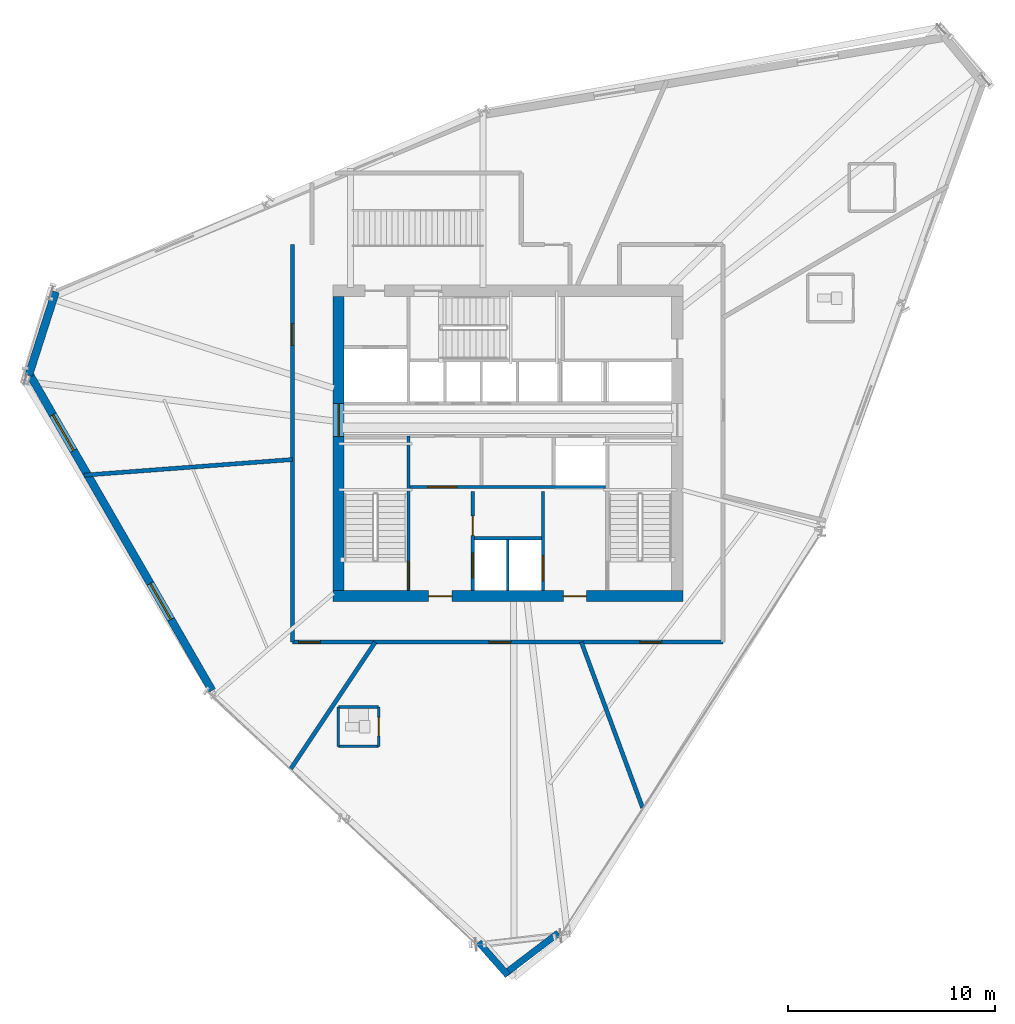
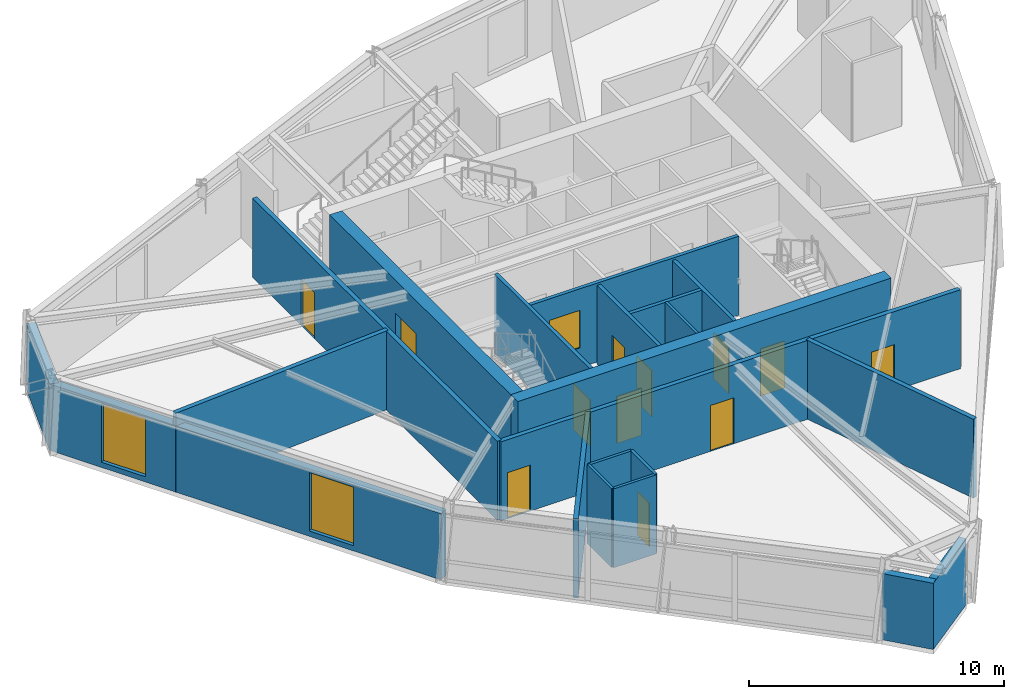
# One storey, part 9 of 14: 21 walls, 12 doors, 3 windows, 15 openings.
"""IFC4 building model written with IfcOpenShell, lengths in metres."""

from ifc_helpers import new_model, si_unit, direction, frame, frame_2d, origin, place, context, subcontext, project, spatial, rectangle, extrude, source, transform, mapped, material, layer, layer_set, type_object, type_shapes, element, fill, save


model = new_model("IFC4")

# Units and contexts
model_context = context("Model", 3, precision=1e-05, world=origin(), true_north=direction((0.0, 1.0)))
body_context = subcontext(model_context, "Body", "Model", "MODEL_VIEW")
ifc_project = project(units=[si_unit("LENGTHUNIT", "METRE"), si_unit("AREAUNIT", "SQUARE_METRE"), si_unit("VOLUMEUNIT", "CUBIC_METRE"), si_unit("PLANEANGLEUNIT", "RADIAN"), si_unit("MASSUNIT", "GRAM", prefix="KILO")], contexts=[model_context])

# Site, building, storey
site_placement = place(None, origin())
site = spatial("IfcSite", under=ifc_project, at=site_placement, CompositionType="ELEMENT")
building_placement = place(site_placement, origin())
building = spatial("IfcBuilding", under=site, at=building_placement, Name="Olszyna Solenne Hotel", CompositionType="ELEMENT")
storey_placement = place(building_placement, frame((0.0, 0.0, 196.300048828125)))
storey = spatial("IfcBuildingStorey", under=building, at=storey_placement, Name="L52", CompositionType="ELEMENT", Elevation=196.300048828125)

# Wall, openings, doors
ifc_material_1 = material(Name="Concrete C50/60", Category="concrete")
ifc_layer_1 = layer(ifc_material_1, 0.550048828125, Name="Concrete C50/60")
ifc_layer_set_1 = layer_set([ifc_layer_1], Name="Concrete C50/60")
wall_type_1 = type_object("IfcWallType", Name="WL-CR550", PredefinedType="SHEAR", material=ifc_layer_set_1)
wall_1_placement = place(storey_placement, frame((46.449951171875, 19.22509765625, 0.0), z_axis=(0.0, 0.0, 1.0), x_axis=(-1.0, 0.0, 0.0)))
wall_1 = element("IfcWall", 1, at=wall_1_placement, inside=storey, type_object=wall_type_1, Name="Core shear wall WL-CR550 CRW-L52-S", PredefinedType="SHEAR", context=body_context, shape_type="SweptSolid", body=[
    extrude(rectangle(XDim=16.89990234375, YDim=0.550048828125, at=frame_2d((8.449951171875, 0.0))), origin(), (0.0, 0.0, 1.0), 3.780029296875),
])
opening_1_placement = place(wall_1_placement, frame((4.64990234375, 0.0, 0.0)))
opening_1 = element("IfcOpeningElement", 2, at=opening_1_placement, cuts=wall_1, Name="Opening FL-L52-1", PredefinedType="OPENING", context=body_context, shape_type="SweptSolid", body=[
    extrude(rectangle(XDim=1.1201171875, YDim=2.25, at=frame_2d((0.56005859375, 1.125))), frame((0.0, 0.28515625, 0.0), z_axis=(0.0, -1.0, 0.0), x_axis=(1.0, 0.0, 0.0)), (0.0, 0.0, 1.0), 0.570068359375),
])
opening_2_placement = place(wall_1_placement, frame((11.14990234375, 0.0, 0.0)))
opening_2 = element("IfcOpeningElement", 3, at=opening_2_placement, cuts=wall_1, Name="Opening FL-L52-2", PredefinedType="OPENING", context=body_context, shape_type="SweptSolid", body=[
    extrude(rectangle(XDim=1.1201171875, YDim=2.25, at=frame_2d((0.56005859375, 1.125))), frame((0.0, 0.28515625, 0.0), z_axis=(0.0, -1.0, 0.0), x_axis=(1.0, 0.0, 0.0)), (0.0, 0.0, 1.0), 0.570068359375),
])
ifc_material_2 = material(Name="Steel S355J2", Category="steel")
door_type_1 = type_object("IfcDoorType", Name="DR-FL1", OperationType="NOTDEFINED", PredefinedType="DOOR", material=ifc_material_2)
shared_shape_1 = source(origin(), body_context, "Body", "SweptSolid", [
    extrude(rectangle(XDim=1.1201171875, YDim=2.25, at=frame_2d((0.56005859375, 1.125))), frame((0.0, 0.02490234375, 0.0), z_axis=(0.0, -1.0, 0.0), x_axis=(1.0, 0.0, 0.0)), (0.0, 0.0, 1.0), 0.050048828125),
])
type_shapes(door_type_1, [shared_shape_1])
door_1_placement = place(opening_1_placement, origin())
door_1 = element("IfcDoor", 4, at=door_1_placement, inside=storey, type_object=door_type_1, Name="Firefighting lift lobby smoke door FL-L52-1", OperationType="SINGLE_SWING_LEFT", OverallHeight=2.25, OverallWidth=1.1201171875, PredefinedType="DOOR", context=body_context, shape_type="MappedRepresentation", body=[
    mapped(shared_shape_1, transform((0.0, 0.0, 0.0), x_axis=(1.0, 0.0, 0.0), y_axis=(0.0, 1.0, 0.0), z_axis=(0.0, 0.0, 1.0), scale=1.0)),
])
fill(opening_1, door_1)
door_2_placement = place(opening_2_placement, origin())
door_2 = element("IfcDoor", 5, at=door_2_placement, inside=storey, type_object=door_type_1, Name="Firefighting lift lobby smoke door FL-L52-2", OperationType="SINGLE_SWING_RIGHT", OverallHeight=2.25, OverallWidth=1.1201171875, PredefinedType="DOOR", context=body_context, shape_type="MappedRepresentation", body=[
    mapped(shared_shape_1, transform((0.0, 0.0, 0.0), x_axis=(1.0, 0.0, 0.0), y_axis=(0.0, 1.0, 0.0), z_axis=(0.0, 0.0, 1.0), scale=1.0)),
])
fill(opening_2, door_2)

# Wall, opening, door
wall_2_placement = place(storey_placement, frame((29.824951171875, 19.5, 0.0), z_axis=(0.0, 0.0, 1.0), x_axis=(0.0, 1.0, 0.0)))
wall_2 = element("IfcWall", 6, at=wall_2_placement, inside=storey, type_object=wall_type_1, Name="Core shear wall WL-CR550 CRW-L52-W", PredefinedType="SHEAR", context=body_context, shape_type="SweptSolid", body=[
    extrude(rectangle(XDim=14.199951171875, YDim=0.550048828125, at=frame_2d((7.10009765625, 0.0))), origin(), (0.0, 0.0, 1.0), 3.780029296875),
])
opening_3_placement = place(wall_2_placement, frame((7.419921875, 0.0, 0.0)))
opening_3 = element("IfcOpeningElement", 7, at=opening_3_placement, cuts=wall_2, Name="Opening LHD-L52-W", PredefinedType="OPENING", context=body_context, shape_type="SweptSolid", body=[
    extrude(rectangle(XDim=1.60009765625, YDim=2.199951171875, at=frame_2d((0.800048828125, 1.10009765625))), frame((0.0, 0.28515625, 0.0), z_axis=(0.0, -1.0, 0.0), x_axis=(1.0, 0.0, 0.0)), (0.0, 0.0, 1.0), 0.570068359375),
])
ifc_material_3 = material(Name="Timber hardwood", Category="wood")
door_type_2 = type_object("IfcDoorType", Name="DR-CR1", OperationType="DOUBLE_DOOR_SINGLE_SWING", PredefinedType="DOOR", material=ifc_material_3)
shared_shape_2 = source(origin(), body_context, "Body", "SweptSolid", [
    extrude(rectangle(XDim=1.60009765625, YDim=2.199951171875, at=frame_2d((0.800048828125, 1.10009765625))), frame((0.0, 0.02490234375, 0.0), z_axis=(0.0, -1.0, 0.0), x_axis=(1.0, 0.0, 0.0)), (0.0, 0.0, 1.0), 0.050048828125),
])
type_shapes(door_type_2, [shared_shape_2])
door_3_placement = place(opening_3_placement, origin())
door_3 = element("IfcDoor", 8, at=door_3_placement, inside=storey, type_object=door_type_2, Name="Passenger lift lobby West fire door LHD-L52-W", OperationType="DOUBLE_DOOR_SINGLE_SWING", OverallHeight=2.199951171875, OverallWidth=1.60009765625, PredefinedType="DOOR", context=body_context, shape_type="MappedRepresentation", body=[
    mapped(shared_shape_2, transform((0.0, 0.0, 0.0), x_axis=(1.0, 0.0, 0.0), y_axis=(0.0, 1.0, 0.0), z_axis=(0.0, 0.0, 1.0), scale=1.0)),
])
fill(opening_3, door_3)

# Walls
ifc_material_4 = material(Name="Precast concrete C45/55", Category="concrete")
ifc_layer_2 = layer(ifc_material_4, 0.320068359375, Name="Precast concrete C45/55")
ifc_layer_set_2 = layer_set([ifc_layer_2], Name="Precast concrete C45/55")
wall_type_2 = type_object("IfcWallType", Name="WL-EX320", PredefinedType="SOLIDWALL", material=ifc_layer_set_2)
wall_3_placement = place(storey_placement, frame((40.440185546875, 2.94677734375, 0.0), z_axis=(0.0, 0.0, 1.0), x_axis=(-0.795619968994, -0.605796058866, 0.0)))
element("IfcWall", 9, at=wall_3_placement, inside=storey, type_object=wall_type_2, Name="Exterior terracotta-precast frame wall WL-EX320 EW-L52-02", PredefinedType="SOLIDWALL", context=body_context, shape_type="SweptSolid", body=[
    extrude(rectangle(XDim=3.333740234375, YDim=0.320068359375, at=frame_2d((1.6669921875, 0.0))), origin(), (0.0, 0.0, 1.0), 3.171875),
])
wall_4_placement = place(storey_placement, frame((38.004638671875, 0.906005859375, 0.0), z_axis=(0.0, 0.0, 1.0), x_axis=(-0.662045382333, 0.749463749444, 0.0)))
element("IfcWall", 10, at=wall_4_placement, inside=storey, type_object=wall_type_2, Name="Exterior terracotta-precast frame wall WL-EX320 EW-L52-03", PredefinedType="SOLIDWALL", context=body_context, shape_type="SweptSolid", body=[
    extrude(rectangle(XDim=2.1337890625, YDim=0.320068359375, at=frame_2d((1.06689453125, 0.0))), origin(), (0.0, 0.0, 1.0), 3.171875),
])

# Wall, openings, windows
ifc_material_5 = material(Name="Terracotta cladding on precast concrete C45/55", Category="masonry")
ifc_layer_3 = layer(ifc_material_5, 0.3798828125, Name="Terracotta cladding on precast concrete C45/55")
ifc_layer_set_3 = layer_set([ifc_layer_3], Name="Terracotta cladding on precast concrete C45/55")
wall_type_3 = type_object("IfcWallType", Name="WL-EX380", PredefinedType="SOLIDWALL", material=ifc_layer_set_3)
wall_5_placement = place(storey_placement, frame((23.718017578125, 14.662109375, 0.0), z_axis=(0.0, 0.0, 1.0), x_axis=(-0.499820505407, 0.866129010237, 0.0)))
wall_5 = element("IfcWall", 11, at=wall_5_placement, inside=storey, type_object=wall_type_3, Name="Exterior terracotta-precast frame wall WL-EX380 EW-L52-05", PredefinedType="SOLIDWALL", context=body_context, shape_type="SweptSolid", body=[
    extrude(rectangle(XDim=17.74658203125, YDim=0.3798828125, at=frame_2d((8.873291015625, 0.0))), origin(), (0.0, 0.0, 1.0), 3.171875),
])
opening_4_placement = place(wall_5_placement, frame((3.968994140625, 0.0, 0.251953125)))
opening_4 = element("IfcOpeningElement", 12, at=opening_4_placement, cuts=wall_5, Name="Opening WN-L52-333", PredefinedType="OPENING", context=body_context, shape_type="SweptSolid", body=[
    extrude(rectangle(XDim=2.0, YDim=2.800048828125, at=frame_2d((1.0, 1.39990234375))), frame((0.0, 0.199951171875, 0.0), z_axis=(0.0, -1.0, 0.0), x_axis=(1.0, 0.0, 0.0)), (0.0, 0.0, 1.0), 0.39990234375),
])
opening_5_placement = place(wall_5_placement, frame((13.3779296875, 0.0, 0.251953125)))
opening_5 = element("IfcOpeningElement", 13, at=opening_5_placement, cuts=wall_5, Name="Opening WN-L52-334", PredefinedType="OPENING", context=body_context, shape_type="SweptSolid", body=[
    extrude(rectangle(XDim=2.0, YDim=2.800048828125, at=frame_2d((1.0, 1.39990234375))), frame((0.0, 0.199951171875, 0.0), z_axis=(0.0, -1.0, 0.0), x_axis=(1.0, 0.0, 0.0)), (0.0, 0.0, 1.0), 0.39990234375),
])
ifc_material_6 = material(Name="Low-E triple glazing", Category="glass")
window_type_1 = type_object("IfcWindowType", Name="WN-SG1", PartitioningType="SINGLE_PANEL", PredefinedType="WINDOW", material=ifc_material_6)
shared_shape_3 = source(origin(), body_context, "Body", "SweptSolid", [
    extrude(rectangle(XDim=2.0, YDim=2.800048828125, at=frame_2d((1.0, 1.39990234375))), frame((0.0, 0.030029296875, 0.0), z_axis=(0.0, -1.0, 0.0), x_axis=(1.0, 0.0, 0.0)), (0.0, 0.0, 1.0), 0.06005859375),
])
type_shapes(window_type_1, [shared_shape_3])
window_1_placement = place(opening_4_placement, origin())
window_1 = element("IfcWindow", 14, at=window_1_placement, inside=storey, type_object=window_type_1, Name="Exterior facade window WN-SG1 WN-L52-333", OverallHeight=2.800048828125, OverallWidth=2.0, PartitioningType="SINGLE_PANEL", PredefinedType="WINDOW", context=body_context, shape_type="MappedRepresentation", body=[
    mapped(shared_shape_3, transform((0.0, 0.0, 0.0), x_axis=(1.0, 0.0, 0.0), y_axis=(0.0, 1.0, 0.0), z_axis=(0.0, 0.0, 1.0), scale=1.0)),
])
fill(opening_4, window_1)
window_2_placement = place(opening_5_placement, origin())
window_2 = element("IfcWindow", 15, at=window_2_placement, inside=storey, type_object=window_type_1, Name="Exterior facade window WN-SG1 WN-L52-334", OverallHeight=2.800048828125, OverallWidth=2.0, PartitioningType="SINGLE_PANEL", PredefinedType="WINDOW", context=body_context, shape_type="MappedRepresentation", body=[
    mapped(shared_shape_3, transform((0.0, 0.0, 0.0), x_axis=(1.0, 0.0, 0.0), y_axis=(0.0, 1.0, 0.0), z_axis=(0.0, 0.0, 1.0), scale=1.0)),
])
fill(opening_5, window_2)

# Walls
wall_6_placement = place(storey_placement, frame((14.8642578125, 29.8798828125, 0.0), z_axis=(0.0, 0.0, 1.0), x_axis=(0.305642175368, 0.952146449154, 0.0)))
element("IfcWall", 16, at=wall_6_placement, inside=storey, type_object=wall_type_3, Name="Exterior terracotta-precast frame wall WL-EX380 EW-L52-06", PredefinedType="SOLIDWALL", context=body_context, shape_type="SweptSolid", body=[
    extrude(rectangle(XDim=4.242431640625, YDim=0.3798828125, at=frame_2d((2.12109375, 0.0))), origin(), (0.0, 0.0, 1.0), 3.171875),
])
ifc_material_7 = material(Name="Acoustic gypsum partition", Category="gypsum")
ifc_layer_4 = layer(ifc_material_7, 0.125, Name="Acoustic gypsum partition")
ifc_layer_set_4 = layer_set([ifc_layer_4], Name="Acoustic gypsum partition")
wall_type_4 = type_object("IfcWallType", Name="WL-PT125", PredefinedType="PARTITIONING", material=ifc_layer_set_4)
wall_7_placement = place(storey_placement, frame((38.0, 19.5, 0.0), z_axis=(0.0, 0.0, 1.0), x_axis=(0.0, 1.0, 0.0)))
element("IfcWall", 17, at=wall_7_placement, inside=storey, type_object=wall_type_4, Name="Core shaft compartment wall CW-L52-FFM", PredefinedType="PARTITIONING", context=body_context, shape_type="SweptSolid", body=[
    extrude(rectangle(XDim=2.4599609375, YDim=0.125, at=frame_2d((1.22998046875, 0.0))), origin(), (0.0, 0.0, 1.0), 3.780029296875),
])

# Wall, opening, door
wall_8_placement = place(storey_placement, frame((31.76611328125, 11.967041015625, 0.0), z_axis=(0.0, 0.0, 1.0), x_axis=(0.0, 1.0, 0.0)))
wall_8 = element("IfcWall", 18, at=wall_8_placement, inside=storey, type_object=wall_type_4, Name="Interior acoustic partition WL-PT125 PW-L52-2931", PredefinedType="PARTITIONING", context=body_context, shape_type="SweptSolid", body=[
    extrude(rectangle(XDim=1.89990234375, YDim=0.125, at=frame_2d((0.949951171875, 0.0))), origin(), (0.0, 0.0, 1.0), 3.780029296875),
])
opening_6_placement = place(wall_8_placement, frame((0.5, 0.0, 0.0)))
opening_6 = element("IfcOpeningElement", 19, at=opening_6_placement, cuts=wall_8, Name="Opening DR-L52-0712", PredefinedType="OPENING", context=body_context, shape_type="SweptSolid", body=[
    extrude(rectangle(XDim=0.89990234375, YDim=2.10009765625, at=frame_2d((0.449951171875, 1.050048828125))), frame((0.0, 0.072509765625, 0.0), z_axis=(0.0, -1.0, 0.0), x_axis=(1.0, 0.0, 0.0)), (0.0, 0.0, 1.0), 0.14501953125),
])
door_type_3 = type_object("IfcDoorType", Name="DR-WC1", OperationType="NOTDEFINED", PredefinedType="DOOR", material=ifc_material_3)
shared_shape_4 = source(origin(), body_context, "Body", "SweptSolid", [
    extrude(rectangle(XDim=0.89990234375, YDim=2.10009765625, at=frame_2d((0.449951171875, 1.050048828125))), frame((0.0, 0.02490234375, 0.0), z_axis=(0.0, -1.0, 0.0), x_axis=(1.0, 0.0, 0.0)), (0.0, 0.0, 1.0), 0.050048828125),
])
type_shapes(door_type_3, [shared_shape_4])
door_4_placement = place(opening_6_placement, origin())
door_4 = element("IfcDoor", 20, at=door_4_placement, inside=storey, type_object=door_type_3, Name="En-Suite Bathroom Door DR-L52-0712", OperationType="SINGLE_SWING_LEFT", OverallHeight=2.10009765625, OverallWidth=0.89990234375, PredefinedType="DOOR", context=body_context, shape_type="MappedRepresentation", body=[
    mapped(shared_shape_4, transform((0.0, 0.0, 0.0), x_axis=(1.0, 0.0, 0.0), y_axis=(0.0, 1.0, 0.0), z_axis=(0.0, 0.0, 1.0), scale=1.0)),
])
fill(opening_6, door_4)

# Walls
wall_9_placement = place(storey_placement, frame((31.76611328125, 13.866943359375, 0.0), z_axis=(0.0, 0.0, 1.0), x_axis=(-1.0, 0.0, 0.0)))
element("IfcWall", 21, at=wall_9_placement, inside=storey, type_object=wall_type_4, Name="Interior acoustic partition WL-PT125 PW-L52-2932", PredefinedType="PARTITIONING", context=body_context, shape_type="SweptSolid", body=[
    extrude(rectangle(XDim=1.9501953125, YDim=0.125, at=frame_2d((0.97509765625, 0.0))), origin(), (0.0, 0.0, 1.0), 3.780029296875),
])
wall_10_placement = place(storey_placement, frame((29.81591796875, 13.866943359375, 0.0), z_axis=(0.0, 0.0, 1.0), x_axis=(0.0, -1.0, 0.0)))
element("IfcWall", 22, at=wall_10_placement, inside=storey, type_object=wall_type_4, Name="Interior acoustic partition WL-PT125 PW-L52-2933", PredefinedType="PARTITIONING", context=body_context, shape_type="SweptSolid", body=[
    extrude(rectangle(XDim=1.89990234375, YDim=0.125, at=frame_2d((0.949951171875, 0.0))), origin(), (0.0, 0.0, 1.0), 3.780029296875),
])
wall_11_placement = place(storey_placement, frame((29.81591796875, 11.967041015625, 0.0), z_axis=(0.0, 0.0, 1.0), x_axis=(1.0, 0.0, 0.0)))
element("IfcWall", 23, at=wall_11_placement, inside=storey, type_object=wall_type_4, Name="Interior acoustic partition WL-PT125 PW-L52-2934", PredefinedType="PARTITIONING", context=body_context, shape_type="SweptSolid", body=[
    extrude(rectangle(XDim=1.9501953125, YDim=0.125, at=frame_2d((0.97509765625, 0.0))), origin(), (0.0, 0.0, 1.0), 3.780029296875),
])

# Wall, opening, door
ifc_layer_5 = layer(ifc_material_7, 0.159912109375, Name="Acoustic gypsum partition")
ifc_layer_set_5 = layer_set([ifc_layer_5], Name="Acoustic gypsum partition")
wall_type_5 = type_object("IfcWallType", Name="WL-PT160", PredefinedType="PARTITIONING", material=ifc_layer_set_5)
wall_12_placement = place(storey_placement, frame((33.199951171875, 19.5, 0.0), z_axis=(0.0, 0.0, 1.0), x_axis=(0.0, 1.0, 0.0)))
wall_12 = element("IfcWall", 24, at=wall_12_placement, inside=storey, type_object=wall_type_5, Name="Core shaft compartment wall CW-L52-ST1E", PredefinedType="PARTITIONING", context=body_context, shape_type="SweptSolid", body=[
    extrude(rectangle(XDim=7.4599609375, YDim=0.159912109375, at=frame_2d((3.72998046875, 0.0))), origin(), (0.0, 0.0, 1.0), 3.780029296875),
])
opening_7_placement = place(wall_12_placement, frame((0.080078125, 0.0, 0.0)))
opening_7 = element("IfcOpeningElement", 25, at=opening_7_placement, cuts=wall_12, Name="Opening STD-L52-01", PredefinedType="OPENING", context=body_context, shape_type="SweptSolid", body=[
    extrude(rectangle(XDim=1.320068359375, YDim=2.199951171875, at=frame_2d((0.66015625, 1.10009765625))), frame((0.0, 0.08984375, 0.0), z_axis=(0.0, -1.0, 0.0), x_axis=(1.0, 0.0, 0.0)), (0.0, 0.0, 1.0), 0.179931640625),
])
door_type_4 = type_object("IfcDoorType", Name="DR-ST1", OperationType="NOTDEFINED", PredefinedType="DOOR", material=ifc_material_2)
shared_shape_5 = source(origin(), body_context, "Body", "SweptSolid", [
    extrude(rectangle(XDim=1.320068359375, YDim=2.199951171875, at=frame_2d((0.66015625, 1.10009765625))), frame((0.0, 0.02490234375, 0.0), z_axis=(0.0, -1.0, 0.0), x_axis=(1.0, 0.0, 0.0)), (0.0, 0.0, 1.0), 0.050048828125),
])
type_shapes(door_type_4, [shared_shape_5])
door_5_placement = place(opening_7_placement, origin())
door_5 = element("IfcDoor", 26, at=door_5_placement, inside=storey, type_object=door_type_4, Name="Pressurised exit stair ST1 fire door STD-L52-01", OperationType="SINGLE_SWING_LEFT", OverallHeight=2.199951171875, OverallWidth=1.320068359375, PredefinedType="DOOR", context=body_context, shape_type="MappedRepresentation", body=[
    mapped(shared_shape_5, transform((0.0, 0.0, 0.0), x_axis=(1.0, 0.0, 0.0), y_axis=(0.0, 1.0, 0.0), z_axis=(0.0, 0.0, 1.0), scale=1.0)),
])
fill(opening_7, door_5)

# Wall, openings, doors
wall_13_placement = place(storey_placement, frame((36.300048828125, 19.5, 0.0), z_axis=(0.0, 0.0, 1.0), x_axis=(0.0, 1.0, 0.0)))
wall_13 = element("IfcWall", 27, at=wall_13_placement, inside=storey, type_object=wall_type_5, Name="Core shaft compartment wall CW-L52-FF1W", PredefinedType="PARTITIONING", context=body_context, shape_type="SweptSolid", body=[
    extrude(rectangle(XDim=4.780029296875, YDim=0.159912109375, at=frame_2d((2.39013671875, 0.0))), origin(), (0.0, 0.0, 1.0), 3.780029296875),
])
opening_8_placement = place(wall_13_placement, frame((0.60009765625, 0.0, 0.0)))
opening_8 = element("IfcOpeningElement", 28, at=opening_8_placement, cuts=wall_13, Name="Opening LD-L52-FF1", PredefinedType="OPENING", context=body_context, shape_type="SweptSolid", body=[
    extrude(rectangle(XDim=1.199951171875, YDim=2.199951171875, at=frame_2d((0.60009765625, 1.10009765625))), frame((0.0, 0.08984375, 0.0), z_axis=(0.0, -1.0, 0.0), x_axis=(1.0, 0.0, 0.0)), (0.0, 0.0, 1.0), 0.179931640625),
])
opening_9_placement = place(wall_13_placement, frame((2.64990234375, 0.0, 0.0)))
opening_9 = element("IfcOpeningElement", 29, at=opening_9_placement, cuts=wall_13, Name="Opening SVD-L52-SMK", PredefinedType="OPENING", context=body_context, shape_type="SweptSolid", body=[
    extrude(rectangle(XDim=0.949951171875, YDim=2.10009765625, at=frame_2d((0.47509765625, 1.050048828125))), frame((0.0, 0.08984375, 0.0), z_axis=(0.0, -1.0, 0.0), x_axis=(1.0, 0.0, 0.0)), (0.0, 0.0, 1.0), 0.179931640625),
])
door_type_5 = type_object("IfcDoorType", Name="DR-SV1", OperationType="NOTDEFINED", PredefinedType="DOOR", material=ifc_material_2)
shared_shape_6 = source(origin(), body_context, "Body", "SweptSolid", [
    extrude(rectangle(XDim=0.949951171875, YDim=2.10009765625, at=frame_2d((0.47509765625, 1.050048828125))), frame((0.0, 0.02490234375, 0.0), z_axis=(0.0, -1.0, 0.0), x_axis=(1.0, 0.0, 0.0)), (0.0, 0.0, 1.0), 0.050048828125),
])
type_shapes(door_type_5, [shared_shape_6])
door_6_placement = place(opening_9_placement, origin())
door_6 = element("IfcDoor", 30, at=door_6_placement, inside=storey, type_object=door_type_5, Name="Valet and core service room door SVD-L52-SMK", OperationType="SINGLE_SWING_LEFT", OverallHeight=2.10009765625, OverallWidth=0.949951171875, PredefinedType="DOOR", context=body_context, shape_type="MappedRepresentation", body=[
    mapped(shared_shape_6, transform((0.0, 0.0, 0.0), x_axis=(1.0, 0.0, 0.0), y_axis=(0.0, 1.0, 0.0), z_axis=(0.0, 0.0, 1.0), scale=1.0)),
])
fill(opening_9, door_6)
door_type_6 = type_object("IfcDoorType", Name="LD-FF1", OperationType="DOUBLE_DOOR_SLIDING", PredefinedType="DOOR", material=ifc_material_2)
shared_shape_7 = source(origin(), body_context, "Body", "SweptSolid", [
    extrude(rectangle(XDim=1.199951171875, YDim=2.199951171875, at=frame_2d((0.60009765625, 1.10009765625))), frame((0.0, 0.02490234375, 0.0), z_axis=(0.0, -1.0, 0.0), x_axis=(1.0, 0.0, 0.0)), (0.0, 0.0, 1.0), 0.050048828125),
])
type_shapes(door_type_6, [shared_shape_7])
door_7_placement = place(opening_8_placement, origin())
door_7 = element("IfcDoor", 31, at=door_7_placement, inside=storey, type_object=door_type_6, Name="Firefighters lift FF1 sliding landing door LD-L52-FF1", OperationType="DOUBLE_DOOR_SLIDING", OverallHeight=2.199951171875, OverallWidth=1.199951171875, PredefinedType="DOOR", context=body_context, shape_type="MappedRepresentation", body=[
    mapped(shared_shape_7, transform((0.0, 0.0, 0.0), x_axis=(1.0, 0.0, 0.0), y_axis=(0.0, 1.0, 0.0), z_axis=(0.0, 0.0, 1.0), scale=1.0)),
])
fill(opening_8, door_7)

# Wall, opening, door
wall_14_placement = place(storey_placement, frame((39.699951171875, 24.280029296875, 0.0), z_axis=(0.0, 0.0, 1.0), x_axis=(0.0, -1.0, 0.0)))
wall_14 = element("IfcWall", 32, at=wall_14_placement, inside=storey, type_object=wall_type_5, Name="Core shaft compartment wall CW-L52-FF2E", PredefinedType="PARTITIONING", context=body_context, shape_type="SweptSolid", body=[
    extrude(rectangle(XDim=4.780029296875, YDim=0.159912109375, at=frame_2d((2.39013671875, 0.0))), origin(), (0.0, 0.0, 1.0), 3.780029296875),
])
opening_10_placement = place(wall_14_placement, frame((3.1201171875, 0.0, 0.0)))
opening_10 = element("IfcOpeningElement", 33, at=opening_10_placement, cuts=wall_14, Name="Opening LD-L52-FF2", PredefinedType="OPENING", context=body_context, shape_type="SweptSolid", body=[
    extrude(rectangle(XDim=1.199951171875, YDim=2.199951171875, at=frame_2d((0.60009765625, 1.10009765625))), frame((0.0, 0.08984375, 0.0), z_axis=(0.0, -1.0, 0.0), x_axis=(1.0, 0.0, 0.0)), (0.0, 0.0, 1.0), 0.179931640625),
])
door_8_placement = place(opening_10_placement, origin())
door_8 = element("IfcDoor", 34, at=door_8_placement, inside=storey, type_object=door_type_6, Name="Firefighters lift FF2 sliding landing door LD-L52-FF2", OperationType="DOUBLE_DOOR_SLIDING", OverallHeight=2.199951171875, OverallWidth=1.199951171875, PredefinedType="DOOR", context=body_context, shape_type="MappedRepresentation", body=[
    mapped(shared_shape_7, transform((0.0, 0.0, 0.0), x_axis=(1.0, 0.0, 0.0), y_axis=(0.0, 1.0, 0.0), z_axis=(0.0, 0.0, 1.0), scale=1.0)),
])
fill(opening_10, door_8)

# Wall
wall_15_placement = place(storey_placement, frame((36.3798828125, 22.02001953125, 0.0), z_axis=(0.0, 0.0, 1.0), x_axis=(1.0, 0.0, 0.0)))
element("IfcWall", 35, at=wall_15_placement, inside=storey, type_object=wall_type_5, Name="Core shaft compartment wall CW-L52-FFN", PredefinedType="PARTITIONING", context=body_context, shape_type="SweptSolid", body=[
    extrude(rectangle(XDim=3.240234375, YDim=0.159912109375, at=frame_2d((1.6201171875, 0.0))), origin(), (0.0, 0.0, 1.0), 3.780029296875),
])

# Wall, opening, window
wall_16_placement = place(storey_placement, frame((33.280029296875, 24.489990234375, 0.0), z_axis=(0.0, 0.0, 1.0), x_axis=(1.0, 0.0, 0.0)))
wall_16 = element("IfcWall", 36, at=wall_16_placement, inside=storey, type_object=wall_type_5, Name="Core shaft compartment wall CW-L52-FFBN", PredefinedType="PARTITIONING", context=body_context, shape_type="SweptSolid", body=[
    extrude(rectangle(XDim=9.43994140625, YDim=0.159912109375, at=frame_2d((4.719970703125, 0.0))), origin(), (0.0, 0.0, 1.0), 3.780029296875),
])
opening_11_placement = place(wall_16_placement, frame((0.85009765625, 0.0, 0.949951171875)))
opening_11 = element("IfcOpeningElement", 37, at=opening_11_placement, cuts=wall_16, Name="Opening WNI-L52-01", PredefinedType="OPENING", context=body_context, shape_type="SweptSolid", body=[
    extrude(rectangle(XDim=1.39990234375, YDim=1.800048828125, at=frame_2d((0.699951171875, 0.89990234375))), frame((0.0, 0.08984375, 0.0), z_axis=(0.0, -1.0, 0.0), x_axis=(1.0, 0.0, 0.0)), (0.0, 0.0, 1.0), 0.179931640625),
])
window_type_2 = type_object("IfcWindowType", Name="WN-IN1", PartitioningType="SINGLE_PANEL", PredefinedType="WINDOW", material=ifc_material_6)
shared_shape_8 = source(origin(), body_context, "Body", "SweptSolid", [
    extrude(rectangle(XDim=1.39990234375, YDim=1.800048828125, at=frame_2d((0.699951171875, 0.89990234375))), frame((0.0, 0.030029296875, 0.0), z_axis=(0.0, -1.0, 0.0), x_axis=(1.0, 0.0, 0.0)), (0.0, 0.0, 1.0), 0.06005859375),
])
type_shapes(window_type_2, [shared_shape_8])
window_3_placement = place(opening_11_placement, origin())
window_3 = element("IfcWindow", 38, at=window_3_placement, inside=storey, type_object=window_type_2, Name="Borrowed-light acoustic screen window WNI-L52-01", OverallHeight=1.800048828125, OverallWidth=1.39990234375, PartitioningType="SINGLE_PANEL", PredefinedType="WINDOW", context=body_context, shape_type="MappedRepresentation", body=[
    mapped(shared_shape_8, transform((0.0, 0.0, 0.0), x_axis=(1.0, 0.0, 0.0), y_axis=(0.0, 1.0, 0.0), z_axis=(0.0, 0.0, 1.0), scale=1.0)),
])
fill(opening_11, window_3)

# Walls
ifc_layer_6 = layer(ifc_material_7, 0.199951171875, Name="Acoustic gypsum partition")
ifc_layer_set_6 = layer_set([ifc_layer_6], Name="Acoustic gypsum partition")
wall_type_6 = type_object("IfcWallType", Name="WL-PT200", PredefinedType="PARTITIONING", material=ifc_layer_set_6)
wall_17_placement = place(storey_placement, frame((27.60009765625, 25.818115234375, 0.0), z_axis=(0.0, 0.0, 1.0), x_axis=(-0.997184592546, -0.074985921274, 0.0)))
element("IfcWall", 39, at=wall_17_placement, inside=storey, type_object=wall_type_6, Name="Interior acoustic partition WL-PT200 PW-L52-2926", PredefinedType="PARTITIONING", context=body_context, shape_type="SweptSolid", body=[
    extrude(rectangle(XDim=10.09619140625, YDim=0.199951171875, at=frame_2d((5.048095703125, 0.0))), origin(), (0.0, 0.0, 1.0), 3.780029296875),
])
wall_18_placement = place(storey_placement, frame((31.59765625, 17.0, 0.0), z_axis=(0.0, 0.0, 1.0), x_axis=(-0.554845645731, -0.831953309635, 0.0)))
element("IfcWall", 40, at=wall_18_placement, inside=storey, type_object=wall_type_6, Name="Interior acoustic partition WL-PT200 PW-L52-2927", PredefinedType="PARTITIONING", context=body_context, shape_type="SweptSolid", body=[
    extrude(rectangle(XDim=7.359375, YDim=0.199951171875, at=frame_2d((3.6796875, 0.0))), origin(), (0.0, 0.0, 1.0), 3.780029296875),
])
wall_19_placement = place(storey_placement, frame((41.551025390625, 17.0, 0.0), z_axis=(0.0, 0.0, 1.0), x_axis=(0.346945907762, -0.937885140669, 0.0)))
element("IfcWall", 41, at=wall_19_placement, inside=storey, type_object=wall_type_6, Name="Interior acoustic partition WL-PT200 PW-L52-2928", PredefinedType="PARTITIONING", context=body_context, shape_type="SweptSolid", body=[
    extrude(rectangle(XDim=8.525146484375, YDim=0.199951171875, at=frame_2d((4.2626953125, 0.0))), origin(), (0.0, 0.0, 1.0), 3.780029296875),
])

# Wall, openings, doors
wall_20_placement = place(storey_placement, frame((27.60009765625, 17.0, 0.0), z_axis=(0.0, 0.0, 1.0), x_axis=(1.0, 0.0, 0.0)))
wall_20 = element("IfcWall", 42, at=wall_20_placement, inside=storey, type_object=wall_type_6, Name="Interior acoustic partition WL-PT200 PW-L52-2943", PredefinedType="PARTITIONING", context=body_context, shape_type="SweptSolid", body=[
    extrude(rectangle(XDim=20.7998046875, YDim=0.199951171875, at=frame_2d((10.39990234375, 0.0))), origin(), (0.0, 0.0, 1.0), 3.780029296875),
])
opening_12_placement = place(wall_20_placement, frame((0.300048828125, 0.0, 0.0)))
opening_12 = element("IfcOpeningElement", 43, at=opening_12_placement, cuts=wall_20, Name="Opening DR-L52-0715", PredefinedType="OPENING", context=body_context, shape_type="SweptSolid", body=[
    extrude(rectangle(XDim=1.050048828125, YDim=2.199951171875, at=frame_2d((0.52490234375, 1.10009765625))), frame((0.0, 0.10986328125, 0.0), z_axis=(0.0, -1.0, 0.0), x_axis=(1.0, 0.0, 0.0)), (0.0, 0.0, 1.0), 0.219970703125),
])
opening_13_placement = place(wall_20_placement, frame((9.5, 0.0, 0.0)))
opening_13 = element("IfcOpeningElement", 44, at=opening_13_placement, cuts=wall_20, Name="Opening DR-L52-0716", PredefinedType="OPENING", context=body_context, shape_type="SweptSolid", body=[
    extrude(rectangle(XDim=1.050048828125, YDim=2.199951171875, at=frame_2d((0.52490234375, 1.10009765625))), frame((0.0, 0.10986328125, 0.0), z_axis=(0.0, -1.0, 0.0), x_axis=(1.0, 0.0, 0.0)), (0.0, 0.0, 1.0), 0.219970703125),
])
opening_14_placement = place(wall_20_placement, frame((16.77294921875, 0.0, 0.0)))
opening_14 = element("IfcOpeningElement", 45, at=opening_14_placement, cuts=wall_20, Name="Opening DR-L52-0717", PredefinedType="OPENING", context=body_context, shape_type="SweptSolid", body=[
    extrude(rectangle(XDim=1.050048828125, YDim=2.199951171875, at=frame_2d((0.52490234375, 1.10009765625))), frame((0.0, 0.10986328125, 0.0), z_axis=(0.0, -1.0, 0.0), x_axis=(1.0, 0.0, 0.0)), (0.0, 0.0, 1.0), 0.219970703125),
])
door_type_7 = type_object("IfcDoorType", Name="DR-RM2", OperationType="NOTDEFINED", PredefinedType="DOOR", material=ifc_material_3)
shared_shape_9 = source(origin(), body_context, "Body", "SweptSolid", [
    extrude(rectangle(XDim=1.050048828125, YDim=2.199951171875, at=frame_2d((0.52490234375, 1.10009765625))), frame((0.0, 0.02490234375, 0.0), z_axis=(0.0, -1.0, 0.0), x_axis=(1.0, 0.0, 0.0)), (0.0, 0.0, 1.0), 0.050048828125),
])
type_shapes(door_type_7, [shared_shape_9])
door_9_placement = place(opening_12_placement, origin())
door_9 = element("IfcDoor", 46, at=door_9_placement, inside=storey, type_object=door_type_7, Name="Botanical Tea Pavilion Entrance Door DR-L52-0715", OperationType="SINGLE_SWING_LEFT", OverallHeight=2.199951171875, OverallWidth=1.050048828125, PredefinedType="DOOR", context=body_context, shape_type="MappedRepresentation", body=[
    mapped(shared_shape_9, transform((0.0, 0.0, 0.0), x_axis=(1.0, 0.0, 0.0), y_axis=(0.0, 1.0, 0.0), z_axis=(0.0, 0.0, 1.0), scale=1.0)),
])
fill(opening_12, door_9)
door_10_placement = place(opening_13_placement, origin())
door_10 = element("IfcDoor", 47, at=door_10_placement, inside=storey, type_object=door_type_7, Name="Horizon Suite Entrance Door DR-L52-0716", OperationType="SINGLE_SWING_RIGHT", OverallHeight=2.199951171875, OverallWidth=1.050048828125, PredefinedType="DOOR", context=body_context, shape_type="MappedRepresentation", body=[
    mapped(shared_shape_9, transform((0.0, 0.0, 0.0), x_axis=(1.0, 0.0, 0.0), y_axis=(0.0, 1.0, 0.0), z_axis=(0.0, 0.0, 1.0), scale=1.0)),
])
fill(opening_13, door_10)
door_11_placement = place(opening_14_placement, origin())
door_11 = element("IfcDoor", 48, at=door_11_placement, inside=storey, type_object=door_type_7, Name="Executive Meeting Salon Entrance Door DR-L52-0717", OperationType="SINGLE_SWING_LEFT", OverallHeight=2.199951171875, OverallWidth=1.050048828125, PredefinedType="DOOR", context=body_context, shape_type="MappedRepresentation", body=[
    mapped(shared_shape_9, transform((0.0, 0.0, 0.0), x_axis=(1.0, 0.0, 0.0), y_axis=(0.0, 1.0, 0.0), z_axis=(0.0, 0.0, 1.0), scale=1.0)),
])
fill(opening_14, door_11)

# Wall, opening, door
wall_21_placement = place(storey_placement, frame((27.60009765625, 17.0, 0.0), z_axis=(0.0, 0.0, 1.0), x_axis=(0.0, 1.0, 0.0)))
wall_21 = element("IfcWall", 49, at=wall_21_placement, inside=storey, type_object=wall_type_6, Name="Interior acoustic partition WL-PT200 PW-L52-2944", PredefinedType="PARTITIONING", context=body_context, shape_type="SweptSolid", body=[
    extrude(rectangle(XDim=19.199951171875, YDim=0.199951171875, at=frame_2d((9.60009765625, 0.0))), origin(), (0.0, 0.0, 1.0), 3.780029296875),
])
opening_15_placement = place(wall_21_placement, frame((14.325927734375, 0.0, 0.0)))
opening_15 = element("IfcOpeningElement", 50, at=opening_15_placement, cuts=wall_21, Name="Opening DR-L52-0718", PredefinedType="OPENING", context=body_context, shape_type="SweptSolid", body=[
    extrude(rectangle(XDim=1.050048828125, YDim=2.199951171875, at=frame_2d((0.52490234375, 1.10009765625))), frame((0.0, 0.10986328125, 0.0), z_axis=(0.0, -1.0, 0.0), x_axis=(1.0, 0.0, 0.0)), (0.0, 0.0, 1.0), 0.219970703125),
])
door_12_placement = place(opening_15_placement, origin())
door_12 = element("IfcDoor", 51, at=door_12_placement, inside=storey, type_object=door_type_7, Name="Sky Lobby Lounge Entrance Door DR-L52-0718", OperationType="SINGLE_SWING_RIGHT", OverallHeight=2.199951171875, OverallWidth=1.050048828125, PredefinedType="DOOR", context=body_context, shape_type="MappedRepresentation", body=[
    mapped(shared_shape_9, transform((0.0, 0.0, 0.0), x_axis=(1.0, 0.0, 0.0), y_axis=(0.0, 1.0, 0.0), z_axis=(0.0, 0.0, 1.0), scale=1.0)),
])
fill(opening_15, door_12)

save(model, "model.ifc")
